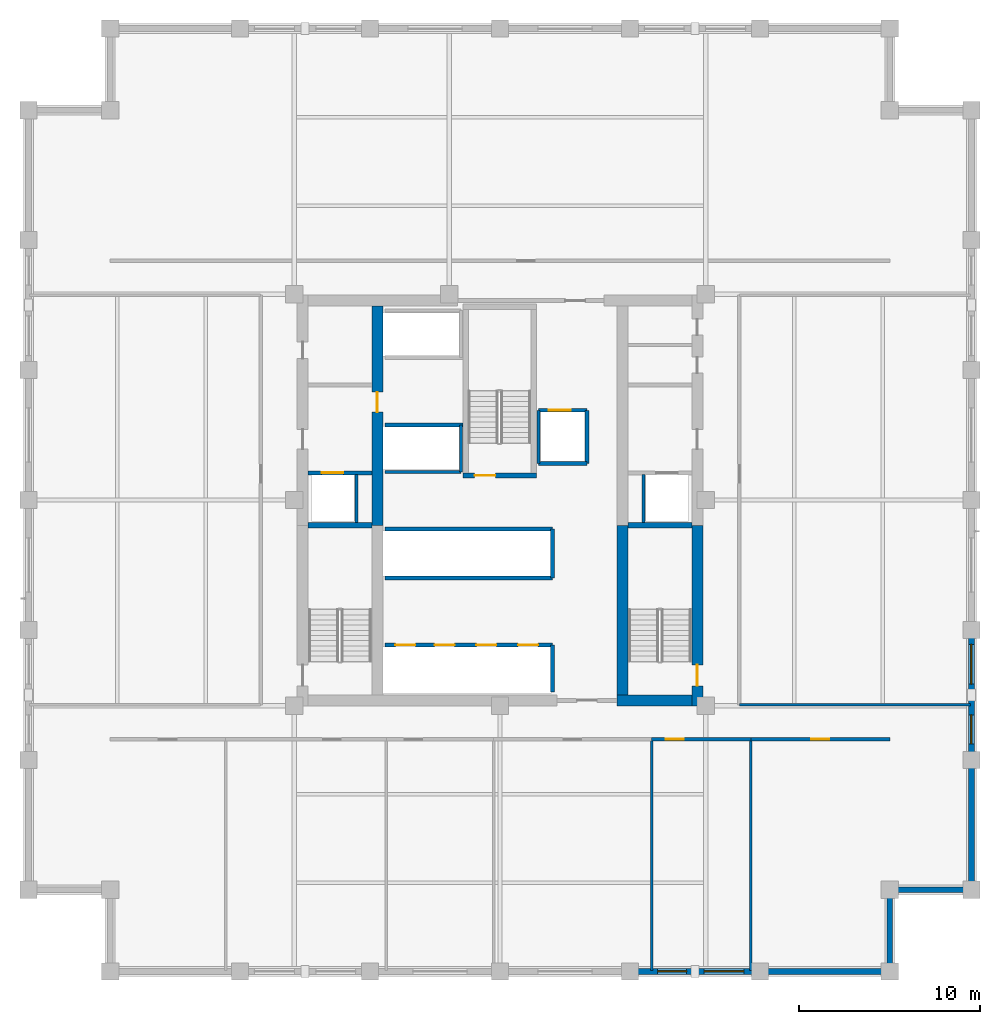
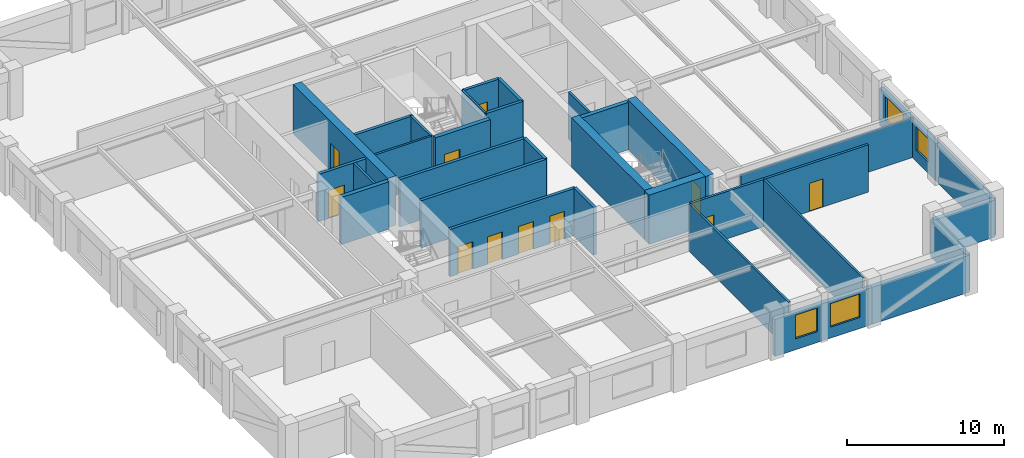
# One storey, part 6 of 9: 33 walls, 11 doors, 4 windows, 15 openings.
"""IFC4 building model written with IfcOpenShell, lengths in metres."""

from ifc_helpers import new_model, si_unit, direction, frame, frame_2d, origin, place, context, subcontext, project, spatial, rectangle, extrude, material, layer, layer_set, type_object, element, fill, save


model = new_model("IFC4")

# Units and contexts
model_context = context("Model", 3, precision=1e-05, world=origin(), true_north=direction((0.0, 1.0)))
body_context = subcontext(model_context, "Body", "Model", "MODEL_VIEW")
ifc_project = project(units=[si_unit("LENGTHUNIT", "METRE"), si_unit("AREAUNIT", "SQUARE_METRE"), si_unit("VOLUMEUNIT", "CUBIC_METRE"), si_unit("PLANEANGLEUNIT", "RADIAN"), si_unit("MASSUNIT", "GRAM", prefix="KILO")], contexts=[model_context])

# Site, building, storey
site_placement = place(None, origin())
site = spatial("IfcSite", under=ifc_project, at=site_placement, CompositionType="ELEMENT")
building_placement = place(site_placement, origin())
building = spatial("IfcBuilding", under=site, at=building_placement, Name="Nhamokura Convention Tower", CompositionType="ELEMENT")
storey_placement = place(building_placement, frame((0.0, 0.0, 156.800048828125)))
storey = spatial("IfcBuildingStorey", under=building, at=storey_placement, Name="L38", CompositionType="ELEMENT", Elevation=156.800048828125)

# Wall, openings, windows
ifc_material_1 = material(Name="Bronze-pigmented precast concrete C45/55", Category="concrete")
ifc_layer_1 = layer(ifc_material_1, 0.320068359375)
ifc_layer_set_1 = layer_set([ifc_layer_1], Name="BronzePrecastSpandrel_320")
wall_type_1 = type_object("IfcWallType", Name="BronzePrecastSpandrel_320", PredefinedType="USERDEFINED", material=ifc_layer_set_1)
wall_1_placement = place(storey_placement, frame((46.333251953125, 6.0, 0.0), z_axis=(0.0, 0.0, 1.0), x_axis=(-1.0, 0.0, 0.0)))
wall_1 = element("IfcWall", 1, at=wall_1_placement, inside=storey, type_object=wall_type_1, Name="L38 Masonry-Frame Wall SOUTH 4", ObjectType="SPANDREL_WALL", PredefinedType="USERDEFINED", context=body_context, shape_type="SweptSolid", body=[
    extrude(rectangle(XDim=7.16650390625, YDim=0.320068359375, at=frame_2d((3.583251953125, 0.0))), origin(), (0.0, 0.0, 1.0), 2.885009765625),
])
opening_1_placement = place(wall_1_placement, frame((0.879150390625, 0.0, 0.85009765625)))
opening_1 = element("IfcOpeningElement", 2, at=opening_1_placement, cuts=wall_1, Name="Opening W-06", PredefinedType="OPENING", context=body_context, shape_type="SweptSolid", body=[
    extrude(rectangle(XDim=2.199951171875, YDim=1.8349609375, at=frame_2d((1.10009765625, 0.91748046875))), frame((0.0, 0.169921875, 0.0), z_axis=(0.0, -1.0, 0.0), x_axis=(1.0, 0.0, 0.0)), (0.0, 0.0, 1.0), 0.340087890625),
])
opening_2_placement = place(wall_1_placement, frame((4.03759765625, 0.0, 0.85009765625)))
opening_2 = element("IfcOpeningElement", 3, at=opening_2_placement, cuts=wall_1, Name="Opening W-11", PredefinedType="OPENING", context=body_context, shape_type="SweptSolid", body=[
    extrude(rectangle(XDim=1.60009765625, YDim=1.8349609375, at=frame_2d((0.800048828125, 0.91748046875))), frame((0.0, 0.169921875, 0.0), z_axis=(0.0, -1.0, 0.0), x_axis=(1.0, 0.0, 0.0)), (0.0, 0.0, 1.0), 0.340087890625),
])
ifc_material_2 = material(Name="Solar-control bronze low-E double glass", Category="glass")
window_type_1 = type_object("IfcWindowType", Name="NotchCornerWindow_1600", PartitioningType="SINGLE_PANEL", PredefinedType="WINDOW", material=ifc_material_2)
window_1_placement = place(opening_2_placement, origin())
window_1 = element("IfcWindow", 4, at=window_1_placement, inside=storey, type_object=window_type_1, Name="L38 Facade Window SOUTH 4-2", OverallHeight=1.8349609375, OverallWidth=1.60009765625, PartitioningType="SINGLE_PANEL", PredefinedType="WINDOW", context=body_context, shape_type="SweptSolid", body=[
    extrude(rectangle(XDim=1.60009765625, YDim=1.8349609375, at=frame_2d((0.800048828125, 0.91748046875))), frame((0.0, 0.030029296875, 0.0), z_axis=(0.0, -1.0, 0.0), x_axis=(1.0, 0.0, 0.0)), (0.0, 0.0, 1.0), 0.06005859375),
])
fill(opening_2, window_1)
ifc_material_3 = material(Name="Solar-control bronze low-E double glass", Category="glass")
window_type_2 = type_object("IfcWindowType", Name="OfficeModuleWindow_Z2_2200", PartitioningType="SINGLE_PANEL", PredefinedType="WINDOW", material=ifc_material_3)
window_2_placement = place(opening_1_placement, origin())
window_2 = element("IfcWindow", 5, at=window_2_placement, inside=storey, type_object=window_type_2, Name="L38 Facade Window SOUTH 4-1", OverallHeight=1.8349609375, OverallWidth=2.199951171875, PartitioningType="SINGLE_PANEL", PredefinedType="WINDOW", context=body_context, shape_type="SweptSolid", body=[
    extrude(rectangle(XDim=2.199951171875, YDim=1.8349609375, at=frame_2d((1.10009765625, 0.91748046875))), frame((0.0, 0.030029296875, 0.0), z_axis=(0.0, -1.0, 0.0), x_axis=(1.0, 0.0, 0.0)), (0.0, 0.0, 1.0), 0.06005859375),
])
fill(opening_1, window_2)

# Walls
for number, where, z_axis, x_axis, name in (
    (6, (53.5, 6.0, 0.0), (0.0, 0.0, 1.0), (-1.0, 0.0, 0.0), "L38 Braced-Bay Precast Wall SOUTH 5"),
    (7, (58.0, 17.666748046875, 0.0), (0.0, 0.0, 1.0), (0.0, -1.0, 0.0), "L38 Braced-Bay Precast Wall EAST 0"),
):
    element("IfcWall", number, at=place(storey_placement, frame(where, z_axis=z_axis, x_axis=x_axis)), inside=storey, type_object=wall_type_1, Name=name, ObjectType="SPANDREL_WALL", PredefinedType="USERDEFINED", context=body_context, shape_type="SweptSolid", body=[
        extrude(rectangle(XDim=7.166748046875, YDim=0.320068359375, at=frame_2d((3.58349609375, 0.0))), origin(), (0.0, 0.0, 1.0), 2.885009765625),
    ])

# Wall, openings, windows
wall_2_placement = place(storey_placement, frame((58.0, 24.833251953125, 0.0), z_axis=(0.0, 0.0, 1.0), x_axis=(0.0, -1.0, 0.0)))
wall_2 = element("IfcWall", 8, at=wall_2_placement, inside=storey, type_object=wall_type_1, Name="L38 Masonry-Frame Wall EAST 1", ObjectType="SPANDREL_WALL", PredefinedType="USERDEFINED", context=body_context, shape_type="SweptSolid", body=[
    extrude(rectangle(XDim=7.16650390625, YDim=0.320068359375, at=frame_2d((3.583251953125, 0.0))), origin(), (0.0, 0.0, 1.0), 2.885009765625),
])
opening_3_placement = place(wall_2_placement, frame((0.791748046875, 0.0, 0.85009765625)))
opening_3 = element("IfcOpeningElement", 9, at=opening_3_placement, cuts=wall_2, Name="Opening W-06", PredefinedType="OPENING", context=body_context, shape_type="SweptSolid", body=[
    extrude(rectangle(XDim=2.199951171875, YDim=1.8349609375, at=frame_2d((1.10009765625, 0.91748046875))), frame((0.0, 0.169921875, 0.0), z_axis=(0.0, -1.0, 0.0), x_axis=(1.0, 0.0, 0.0)), (0.0, 0.0, 1.0), 0.340087890625),
])
opening_4_placement = place(wall_2_placement, frame((4.6875, 0.0, 0.85009765625)))
opening_4 = element("IfcOpeningElement", 10, at=opening_4_placement, cuts=wall_2, Name="Opening W-11", PredefinedType="OPENING", context=body_context, shape_type="SweptSolid", body=[
    extrude(rectangle(XDim=1.60009765625, YDim=1.8349609375, at=frame_2d((0.800048828125, 0.91748046875))), frame((0.0, 0.169921875, 0.0), z_axis=(0.0, -1.0, 0.0), x_axis=(1.0, 0.0, 0.0)), (0.0, 0.0, 1.0), 0.340087890625),
])
window_3_placement = place(opening_4_placement, origin())
window_3 = element("IfcWindow", 11, at=window_3_placement, inside=storey, type_object=window_type_1, Name="L38 Facade Window EAST 1-2", OverallHeight=1.8349609375, OverallWidth=1.60009765625, PartitioningType="SINGLE_PANEL", PredefinedType="WINDOW", context=body_context, shape_type="SweptSolid", body=[
    extrude(rectangle(XDim=1.60009765625, YDim=1.8349609375, at=frame_2d((0.800048828125, 0.91748046875))), frame((0.0, 0.030029296875, 0.0), z_axis=(0.0, -1.0, 0.0), x_axis=(1.0, 0.0, 0.0)), (0.0, 0.0, 1.0), 0.06005859375),
])
fill(opening_4, window_3)
window_4_placement = place(opening_3_placement, origin())
window_4 = element("IfcWindow", 12, at=window_4_placement, inside=storey, type_object=window_type_2, Name="L38 Facade Window EAST 1-1", OverallHeight=1.8349609375, OverallWidth=2.199951171875, PartitioningType="SINGLE_PANEL", PredefinedType="WINDOW", context=body_context, shape_type="SweptSolid", body=[
    extrude(rectangle(XDim=2.199951171875, YDim=1.8349609375, at=frame_2d((1.10009765625, 0.91748046875))), frame((0.0, 0.030029296875, 0.0), z_axis=(0.0, -1.0, 0.0), x_axis=(1.0, 0.0, 0.0)), (0.0, 0.0, 1.0), 0.06005859375),
])
fill(opening_3, window_4)

# Walls
for number, where, z_axis, x_axis, name in (
    (13, (53.5, 10.5, 0.0), (0.0, 0.0, 1.0), (0.0, -1.0, 0.0), "L38 Notched Corner Wall SE1"),
    (14, (58.0, 10.5, 0.0), (0.0, 0.0, 1.0), (-1.0, 0.0, 0.0), "L38 Notched Corner Wall SE2"),
):
    element("IfcWall", number, at=place(storey_placement, frame(where, z_axis=z_axis, x_axis=x_axis)), inside=storey, type_object=wall_type_1, Name=name, ObjectType="SPANDREL_WALL", PredefinedType="USERDEFINED", context=body_context, shape_type="SweptSolid", body=[
        extrude(rectangle(XDim=4.5, YDim=0.320068359375, at=frame_2d((2.25, 0.0))), origin(), (0.0, 0.0, 1.0), 2.885009765625),
    ])

# Wall, opening, door
ifc_material_4 = material(Name="Concrete C60/75", Category="concrete")
ifc_layer_2 = layer(ifc_material_4, 0.60009765625)
ifc_layer_set_2 = layer_set([ifc_layer_2], Name="CoreShearWall_600")
wall_type_2 = type_object("IfcWallType", Name="CoreShearWall_600", PredefinedType="SHEAR", material=ifc_layer_set_2)
wall_3_placement = place(storey_placement, frame((42.889892578125, 20.64990234375, 0.0), z_axis=(0.0, 0.0, 1.0), x_axis=(0.0, 1.0, 0.0)))
wall_3 = element("IfcWall", 15, at=wall_3_placement, inside=storey, type_object=wall_type_2, Name="L38 Core Shear Wall CW-ES", PredefinedType="SHEAR", context=body_context, shape_type="SweptSolid", body=[
    extrude(rectangle(XDim=9.9501953125, YDim=0.60009765625, at=frame_2d((4.97509765625, 0.0))), origin(), (0.0, 0.0, 1.0), 3.849853515625),
])
opening_5_placement = place(wall_3_placement, frame((1.10009765625, 0.0, 0.0)))
opening_5 = element("IfcOpeningElement", 16, at=opening_5_placement, cuts=wall_3, Name="Opening D-04", PredefinedType="OPENING", context=body_context, shape_type="SweptSolid", body=[
    extrude(rectangle(XDim=1.14990234375, YDim=2.14990234375, at=frame_2d((0.574951171875, 1.074951171875))), frame((0.0, 0.31005859375, 0.0), z_axis=(0.0, -1.0, 0.0), x_axis=(1.0, 0.0, 0.0)), (0.0, 0.0, 1.0), 0.6201171875),
])
ifc_material_5 = material(Name="Fire-rated steel door", Category="steel")
door_type_1 = type_object("IfcDoorType", Name="StairSmokeDoor_1150", OperationType="NOTDEFINED", PredefinedType="DOOR", material=ifc_material_5)
door_1_placement = place(opening_5_placement, origin())
door_1 = element("IfcDoor", 17, at=door_1_placement, inside=storey, type_object=door_type_1, Name="L38 Core Door INT-L38-D-ST02", OperationType="SINGLE_SWING_RIGHT", OverallHeight=2.14990234375, OverallWidth=1.14990234375, PredefinedType="DOOR", context=body_context, shape_type="SweptSolid", body=[
    extrude(rectangle(XDim=1.14990234375, YDim=2.14990234375, at=frame_2d((0.574951171875, 1.074951171875))), frame((0.0, 0.02490234375, 0.0), z_axis=(0.0, -1.0, 0.0), x_axis=(1.0, 0.0, 0.0)), (0.0, 0.0, 1.0), 0.050048828125),
])
fill(opening_5, door_1)

# Wall
wall_4_placement = place(storey_placement, frame((38.449951171875, 20.949951171875, 0.0), z_axis=(0.0, 0.0, 1.0), x_axis=(1.0, 0.0, 0.0)))
element("IfcWall", 18, at=wall_4_placement, inside=storey, type_object=wall_type_2, Name="L38 Core Shear Wall CW-S2", PredefinedType="SHEAR", context=body_context, shape_type="SweptSolid", body=[
    extrude(rectangle(XDim=4.14013671875, YDim=0.60009765625, at=frame_2d((2.070068359375, 0.0))), origin(), (0.0, 0.0, 1.0), 3.849853515625),
])

# Wall, opening, door
wall_5_placement = place(storey_placement, frame((25.239990234375, 30.60009765625, 0.0), z_axis=(0.0, 0.0, 1.0), x_axis=(0.0, 1.0, 0.0)))
wall_5 = element("IfcWall", 19, at=wall_5_placement, inside=storey, type_object=wall_type_2, Name="L38 Core Shear Wall CW-IWN", PredefinedType="SHEAR", context=body_context, shape_type="SweptSolid", body=[
    extrude(rectangle(XDim=12.099853515625, YDim=0.60009765625, at=frame_2d((6.0498046875, 0.0))), origin(), (0.0, 0.0, 1.0), 3.849853515625),
])
opening_6_placement = place(wall_5_placement, frame((6.25, 0.0, 0.0)))
opening_6 = element("IfcOpeningElement", 20, at=opening_6_placement, cuts=wall_5, Name="Opening D-05", PredefinedType="OPENING", context=body_context, shape_type="SweptSolid", body=[
    extrude(rectangle(XDim=1.10009765625, YDim=2.14990234375, at=frame_2d((0.550048828125, 1.074951171875))), frame((0.0, 0.31005859375, 0.0), z_axis=(0.0, -1.0, 0.0), x_axis=(1.0, 0.0, 0.0)), (0.0, 0.0, 1.0), 0.6201171875),
])
ifc_material_6 = material(Name="Fire-rated steel door", Category="steel")
door_type_2 = type_object("IfcDoorType", Name="FireLobbyDoor_1100", OperationType="NOTDEFINED", PredefinedType="DOOR", material=ifc_material_6)
door_2_placement = place(opening_6_placement, origin())
door_2 = element("IfcDoor", 21, at=door_2_placement, inside=storey, type_object=door_type_2, Name="L38 Core Door INT-L38-D-B3LOB", OperationType="SINGLE_SWING_LEFT", OverallHeight=2.14990234375, OverallWidth=1.10009765625, PredefinedType="DOOR", context=body_context, shape_type="SweptSolid", body=[
    extrude(rectangle(XDim=1.10009765625, YDim=2.14990234375, at=frame_2d((0.550048828125, 1.074951171875))), frame((0.0, 0.02490234375, 0.0), z_axis=(0.0, -1.0, 0.0), x_axis=(1.0, 0.0, 0.0)), (0.0, 0.0, 1.0), 0.050048828125),
])
fill(opening_6, door_2)

# Wall
wall_6_placement = place(storey_placement, frame((38.760009765625, 21.25, 0.0), z_axis=(0.0, 0.0, 1.0), x_axis=(0.0, 1.0, 0.0)))
element("IfcWall", 22, at=wall_6_placement, inside=storey, type_object=wall_type_2, Name="L38 Core Shear Wall CW-IES", PredefinedType="SHEAR", context=body_context, shape_type="SweptSolid", body=[
    extrude(rectangle(XDim=9.35009765625, YDim=0.60009765625, at=frame_2d((4.675048828125, 0.0))), origin(), (0.0, 0.0, 1.0), 3.849853515625),
])

# Wall, opening, door
ifc_material_7 = material(Name="Fire-rated gypsum and masonry partition", Category="masonry")
ifc_layer_3 = layer(ifc_material_7, 0.179931640625)
ifc_layer_set_3 = layer_set([ifc_layer_3], Name="CorridorRatedWall_180")
wall_type_3 = type_object("IfcWallType", Name="CorridorRatedWall_180", PredefinedType="STANDARD", material=ifc_layer_set_3)
wall_7_placement = place(storey_placement, frame((40.36669921875, 18.800048828125, 0.0), z_axis=(0.0, 0.0, 1.0), x_axis=(1.0, 0.0, 0.0)))
wall_7 = element("IfcWall", 23, at=wall_7_placement, inside=storey, type_object=wall_type_3, Name="L38 Wall INT-L38-CW-S04", PredefinedType="STANDARD", context=body_context, shape_type="SweptSolid", body=[
    extrude(rectangle(XDim=5.466552734375, YDim=0.179931640625, at=frame_2d((2.7333984375, 0.0))), origin(), (0.0, 0.0, 1.0), 3.68505859375),
])
opening_7_placement = place(wall_7_placement, frame((0.783203125, 0.0, 0.0)))
opening_7 = element("IfcOpeningElement", 24, at=opening_7_placement, cuts=wall_7, Name="Opening D-08", PredefinedType="OPENING", context=body_context, shape_type="SweptSolid", body=[
    extrude(rectangle(XDim=0.97998046875, YDim=2.199951171875, at=frame_2d((0.489990234375, 1.10009765625))), frame((0.0, 0.099853515625, 0.0), z_axis=(0.0, -1.0, 0.0), x_axis=(1.0, 0.0, 0.0)), (0.0, 0.0, 1.0), 0.199951171875),
])
ifc_material_8 = material(Name="Solid oak hardwood", Category="wood")
door_type_3 = type_object("IfcDoorType", Name="OfficeEntryDoor_980", OperationType="NOTDEFINED", PredefinedType="DOOR", material=ifc_material_8)
door_3_placement = place(opening_7_placement, origin())
door_3 = element("IfcDoor", 25, at=door_3_placement, inside=storey, type_object=door_type_3, Name="L38 Newsroom Office S05 Door", OperationType="SINGLE_SWING_LEFT", OverallHeight=2.199951171875, OverallWidth=0.97998046875, PredefinedType="DOOR", context=body_context, shape_type="SweptSolid", body=[
    extrude(rectangle(XDim=0.97998046875, YDim=2.199951171875, at=frame_2d((0.489990234375, 1.10009765625))), frame((0.0, 0.02490234375, 0.0), z_axis=(0.0, -1.0, 0.0), x_axis=(1.0, 0.0, 0.0)), (0.0, 0.0, 1.0), 0.050048828125),
])
fill(opening_7, door_3)

wall_8_placement = place(storey_placement, frame((45.833251953125, 18.800048828125, 0.0), z_axis=(0.0, 0.0, 1.0), x_axis=(1.0, 0.0, 0.0)))
wall_8 = element("IfcWall", 26, at=wall_8_placement, inside=storey, type_object=wall_type_3, Name="L38 Wall INT-L38-CW-S05", PredefinedType="STANDARD", context=body_context, shape_type="SweptSolid", body=[
    extrude(rectangle(XDim=7.666748046875, YDim=0.179931640625, at=frame_2d((3.83349609375, 0.0))), origin(), (0.0, 0.0, 1.0), 3.68505859375),
])
opening_8_placement = place(wall_8_placement, frame((3.33349609375, 0.0, 0.0)))
opening_8 = element("IfcOpeningElement", 27, at=opening_8_placement, cuts=wall_8, Name="Opening D-08", PredefinedType="OPENING", context=body_context, shape_type="SweptSolid", body=[
    extrude(rectangle(XDim=0.97998046875, YDim=2.199951171875, at=frame_2d((0.489990234375, 1.10009765625))), frame((0.0, 0.099853515625, 0.0), z_axis=(0.0, -1.0, 0.0), x_axis=(1.0, 0.0, 0.0)), (0.0, 0.0, 1.0), 0.199951171875),
])
door_4_placement = place(opening_8_placement, origin())
door_4 = element("IfcDoor", 28, at=door_4_placement, inside=storey, type_object=door_type_3, Name="L38 Green Room Lounge S06 Door", OperationType="SINGLE_SWING_RIGHT", OverallHeight=2.199951171875, OverallWidth=0.97998046875, PredefinedType="DOOR", context=body_context, shape_type="SweptSolid", body=[
    extrude(rectangle(XDim=0.97998046875, YDim=2.199951171875, at=frame_2d((0.489990234375, 1.10009765625))), frame((0.0, 0.02490234375, 0.0), z_axis=(0.0, -1.0, 0.0), x_axis=(1.0, 0.0, 0.0)), (0.0, 0.0, 1.0), 0.050048828125),
])
fill(opening_8, door_4)

ifc_material_9 = material(Name="Autoclaved concrete blockwork", Category="masonry")
ifc_layer_4 = layer(ifc_material_9, 0.219970703125)
ifc_layer_set_4 = layer_set([ifc_layer_4], Name="FireLobbyWall_220")
wall_type_4 = type_object("IfcWallType", Name="FireLobbyWall_220", PredefinedType="STANDARD", material=ifc_layer_set_4)
wall_9_placement = place(storey_placement, frame((21.409912109375, 33.5, 0.0), z_axis=(0.0, 0.0, 1.0), x_axis=(1.0, 0.0, 0.0)))
wall_9 = element("IfcWall", 29, at=wall_9_placement, inside=storey, type_object=wall_type_4, Name="L38 Wall INT-L38-FFW-S", PredefinedType="STANDARD", context=body_context, shape_type="SweptSolid", body=[
    extrude(rectangle(XDim=3.530029296875, YDim=0.219970703125, at=frame_2d((1.76513671875, 0.0))), origin(), (0.0, 0.0, 1.0), 3.68505859375),
])
opening_9_placement = place(wall_9_placement, frame((0.75, 0.0, 0.0)))
opening_9 = element("IfcOpeningElement", 30, at=opening_9_placement, cuts=wall_9, Name="Opening LD-02", PredefinedType="OPENING", context=body_context, shape_type="SweptSolid", body=[
    extrude(rectangle(XDim=1.199951171875, YDim=2.199951171875, at=frame_2d((0.60009765625, 1.10009765625))), frame((0.0, 0.119873046875, 0.0), z_axis=(0.0, -1.0, 0.0), x_axis=(1.0, 0.0, 0.0)), (0.0, 0.0, 1.0), 0.239990234375),
])
ifc_material_10 = material(Name="Anodised bronze stainless steel", Category="steel")
door_type_4 = type_object("IfcDoorType", Name="LiftLandingDoor_FireService", OperationType="DOUBLE_DOOR_SLIDING", PredefinedType="DOOR", material=ifc_material_10)
door_5_placement = place(opening_9_placement, origin())
door_5 = element("IfcDoor", 31, at=door_5_placement, inside=storey, type_object=door_type_4, Name="L38 Firefighting Lift LF-01 Door", OperationType="DOUBLE_DOOR_SLIDING", OverallHeight=2.199951171875, OverallWidth=1.199951171875, PredefinedType="DOOR", context=body_context, shape_type="SweptSolid", body=[
    extrude(rectangle(XDim=1.199951171875, YDim=2.199951171875, at=frame_2d((0.60009765625, 1.10009765625))), frame((0.0, 0.02490234375, 0.0), z_axis=(0.0, -1.0, 0.0), x_axis=(1.0, 0.0, 0.0)), (0.0, 0.0, 1.0), 0.050048828125),
])
fill(opening_9, door_5)

# Wall, openings, doors
wall_10_placement = place(storey_placement, frame((25.64990234375, 24.0, 0.0), z_axis=(0.0, 0.0, 1.0), x_axis=(1.0, 0.0, 0.0)))
wall_10 = element("IfcWall", 32, at=wall_10_placement, inside=storey, type_object=wall_type_4, Name="L38 Wall INT-L38-B1N", PredefinedType="STANDARD", context=body_context, shape_type="SweptSolid", body=[
    extrude(rectangle(XDim=9.25, YDim=0.219970703125, at=frame_2d((4.625, 0.0))), origin(), (0.0, 0.0, 1.0), 3.68505859375),
])
opening_10_placement = place(wall_10_placement, frame((0.580078125, 0.0, 0.0)))
opening_10 = element("IfcOpeningElement", 33, at=opening_10_placement, cuts=wall_10, Name="Opening LD-01", PredefinedType="OPENING", context=body_context, shape_type="SweptSolid", body=[
    extrude(rectangle(XDim=1.10009765625, YDim=2.14990234375, at=frame_2d((0.550048828125, 1.074951171875))), frame((0.0, 0.119873046875, 0.0), z_axis=(0.0, -1.0, 0.0), x_axis=(1.0, 0.0, 0.0)), (0.0, 0.0, 1.0), 0.239990234375),
])
opening_11_placement = place(wall_10_placement, frame((2.75, 0.0, 0.0)))
opening_11 = element("IfcOpeningElement", 34, at=opening_11_placement, cuts=wall_10, Name="Opening LD-01", PredefinedType="OPENING", context=body_context, shape_type="SweptSolid", body=[
    extrude(rectangle(XDim=1.10009765625, YDim=2.14990234375, at=frame_2d((0.550048828125, 1.074951171875))), frame((0.0, 0.119873046875, 0.0), z_axis=(0.0, -1.0, 0.0), x_axis=(1.0, 0.0, 0.0)), (0.0, 0.0, 1.0), 0.239990234375),
])
opening_12_placement = place(wall_10_placement, frame((5.050048828125, 0.0, 0.0)))
opening_12 = element("IfcOpeningElement", 35, at=opening_12_placement, cuts=wall_10, Name="Opening LD-01", PredefinedType="OPENING", context=body_context, shape_type="SweptSolid", body=[
    extrude(rectangle(XDim=1.10009765625, YDim=2.14990234375, at=frame_2d((0.550048828125, 1.074951171875))), frame((0.0, 0.119873046875, 0.0), z_axis=(0.0, -1.0, 0.0), x_axis=(1.0, 0.0, 0.0)), (0.0, 0.0, 1.0), 0.239990234375),
])
opening_13_placement = place(wall_10_placement, frame((7.35009765625, 0.0, 0.0)))
opening_13 = element("IfcOpeningElement", 36, at=opening_13_placement, cuts=wall_10, Name="Opening LD-01", PredefinedType="OPENING", context=body_context, shape_type="SweptSolid", body=[
    extrude(rectangle(XDim=1.10009765625, YDim=2.14990234375, at=frame_2d((0.550048828125, 1.074951171875))), frame((0.0, 0.119873046875, 0.0), z_axis=(0.0, -1.0, 0.0), x_axis=(1.0, 0.0, 0.0)), (0.0, 0.0, 1.0), 0.239990234375),
])
ifc_material_11 = material(Name="Anodised bronze stainless steel", Category="steel")
door_type_5 = type_object("IfcDoorType", Name="LiftLandingDoor_Passenger", OperationType="DOUBLE_DOOR_SLIDING", PredefinedType="DOOR", material=ifc_material_11)
door_6_placement = place(opening_10_placement, origin())
door_6 = element("IfcDoor", 37, at=door_6_placement, inside=storey, type_object=door_type_5, Name="L38 Lift LP-01 Landing Door", OperationType="DOUBLE_DOOR_SLIDING", OverallHeight=2.14990234375, OverallWidth=1.10009765625, PredefinedType="DOOR", context=body_context, shape_type="SweptSolid", body=[
    extrude(rectangle(XDim=1.10009765625, YDim=2.14990234375, at=frame_2d((0.550048828125, 1.074951171875))), frame((0.0, 0.02490234375, 0.0), z_axis=(0.0, -1.0, 0.0), x_axis=(1.0, 0.0, 0.0)), (0.0, 0.0, 1.0), 0.050048828125),
])
fill(opening_10, door_6)
door_7_placement = place(opening_11_placement, origin())
door_7 = element("IfcDoor", 38, at=door_7_placement, inside=storey, type_object=door_type_5, Name="L38 Lift LP-02 Landing Door", OperationType="DOUBLE_DOOR_SLIDING", OverallHeight=2.14990234375, OverallWidth=1.10009765625, PredefinedType="DOOR", context=body_context, shape_type="SweptSolid", body=[
    extrude(rectangle(XDim=1.10009765625, YDim=2.14990234375, at=frame_2d((0.550048828125, 1.074951171875))), frame((0.0, 0.02490234375, 0.0), z_axis=(0.0, -1.0, 0.0), x_axis=(1.0, 0.0, 0.0)), (0.0, 0.0, 1.0), 0.050048828125),
])
fill(opening_11, door_7)
door_8_placement = place(opening_12_placement, origin())
door_8 = element("IfcDoor", 39, at=door_8_placement, inside=storey, type_object=door_type_5, Name="L38 Lift LP-03 Landing Door", OperationType="DOUBLE_DOOR_SLIDING", OverallHeight=2.14990234375, OverallWidth=1.10009765625, PredefinedType="DOOR", context=body_context, shape_type="SweptSolid", body=[
    extrude(rectangle(XDim=1.10009765625, YDim=2.14990234375, at=frame_2d((0.550048828125, 1.074951171875))), frame((0.0, 0.02490234375, 0.0), z_axis=(0.0, -1.0, 0.0), x_axis=(1.0, 0.0, 0.0)), (0.0, 0.0, 1.0), 0.050048828125),
])
fill(opening_12, door_8)
door_9_placement = place(opening_13_placement, origin())
door_9 = element("IfcDoor", 40, at=door_9_placement, inside=storey, type_object=door_type_5, Name="L38 Lift LP-04 Landing Door", OperationType="DOUBLE_DOOR_SLIDING", OverallHeight=2.14990234375, OverallWidth=1.10009765625, PredefinedType="DOOR", context=body_context, shape_type="SweptSolid", body=[
    extrude(rectangle(XDim=1.10009765625, YDim=2.14990234375, at=frame_2d((0.550048828125, 1.074951171875))), frame((0.0, 0.02490234375, 0.0), z_axis=(0.0, -1.0, 0.0), x_axis=(1.0, 0.0, 0.0)), (0.0, 0.0, 1.0), 0.050048828125),
])
fill(opening_13, door_9)

# Walls
wall_11_placement = place(storey_placement, frame((34.89990234375, 21.39990234375, 0.0), z_axis=(0.0, 0.0, 1.0), x_axis=(0.0, 1.0, 0.0)))
element("IfcWall", 41, at=wall_11_placement, inside=storey, type_object=wall_type_4, Name="L38 Wall INT-L38-B1E", PredefinedType="STANDARD", context=body_context, shape_type="SweptSolid", body=[
    extrude(rectangle(XDim=2.60009765625, YDim=0.219970703125, at=frame_2d((1.300048828125, 0.0))), origin(), (0.0, 0.0, 1.0), 3.68505859375),
])
for number, where, z_axis, x_axis, name in (
    (42, (25.64990234375, 27.699951171875, 0.0), (0.0, 0.0, 1.0), (1.0, 0.0, 0.0), "L38 Wall INT-L38-B2S"),
    (43, (25.64990234375, 30.39990234375, 0.0), (0.0, 0.0, 1.0), (1.0, 0.0, 0.0), "L38 Wall INT-L38-B2N"),
):
    element("IfcWall", number, at=place(storey_placement, frame(where, z_axis=z_axis, x_axis=x_axis)), inside=storey, type_object=wall_type_4, Name=name, PredefinedType="STANDARD", context=body_context, shape_type="SweptSolid", body=[
        extrude(rectangle(XDim=9.25, YDim=0.219970703125, at=frame_2d((4.625, 0.0))), origin(), (0.0, 0.0, 1.0), 3.68505859375),
    ])
wall_12_placement = place(storey_placement, frame((34.89990234375, 27.699951171875, 0.0), z_axis=(0.0, 0.0, 1.0), x_axis=(0.0, 1.0, 0.0)))
element("IfcWall", 44, at=wall_12_placement, inside=storey, type_object=wall_type_4, Name="L38 Wall INT-L38-B2E", PredefinedType="STANDARD", context=body_context, shape_type="SweptSolid", body=[
    extrude(rectangle(XDim=2.699951171875, YDim=0.219970703125, at=frame_2d((1.35009765625, 0.0))), origin(), (0.0, 0.0, 1.0), 3.68505859375),
])
wall_13_placement = place(storey_placement, frame((25.64990234375, 36.14990234375, 0.0), z_axis=(0.0, 0.0, 1.0), x_axis=(1.0, 0.0, 0.0)))
element("IfcWall", 45, at=wall_13_placement, inside=storey, type_object=wall_type_4, Name="L38 Wall INT-L38-B3S", PredefinedType="STANDARD", context=body_context, shape_type="SweptSolid", body=[
    extrude(rectangle(XDim=4.300048828125, YDim=0.219970703125, at=frame_2d((2.14990234375, 0.0))), origin(), (0.0, 0.0, 1.0), 3.68505859375),
])

# Wall, opening, door
wall_14_placement = place(storey_placement, frame((34.1201171875, 36.949951171875, 0.0), z_axis=(0.0, 0.0, 1.0), x_axis=(1.0, 0.0, 0.0)))
wall_14 = element("IfcWall", 46, at=wall_14_placement, inside=storey, type_object=wall_type_4, Name="L38 Wall INT-L38-LSN", PredefinedType="STANDARD", context=body_context, shape_type="SweptSolid", body=[
    extrude(rectangle(XDim=2.679931640625, YDim=0.219970703125, at=frame_2d((1.33984375, 0.0))), origin(), (0.0, 0.0, 1.0), 3.68505859375),
])
opening_14_placement = place(wall_14_placement, frame((0.580078125, 0.0, 0.0)))
opening_14 = element("IfcOpeningElement", 47, at=opening_14_placement, cuts=wall_14, Name="Opening LD-02", PredefinedType="OPENING", context=body_context, shape_type="SweptSolid", body=[
    extrude(rectangle(XDim=1.199951171875, YDim=2.199951171875, at=frame_2d((0.60009765625, 1.10009765625))), frame((0.0, 0.119873046875, 0.0), z_axis=(0.0, -1.0, 0.0), x_axis=(1.0, 0.0, 0.0)), (0.0, 0.0, 1.0), 0.239990234375),
])
door_10_placement = place(opening_14_placement, origin())
door_10 = element("IfcDoor", 48, at=door_10_placement, inside=storey, type_object=door_type_4, Name="L38 Service Lift LS-01 Door", OperationType="DOUBLE_DOOR_SLIDING", OverallHeight=2.199951171875, OverallWidth=1.199951171875, PredefinedType="DOOR", context=body_context, shape_type="SweptSolid", body=[
    extrude(rectangle(XDim=1.199951171875, YDim=2.199951171875, at=frame_2d((0.60009765625, 1.10009765625))), frame((0.0, 0.02490234375, 0.0), z_axis=(0.0, -1.0, 0.0), x_axis=(1.0, 0.0, 0.0)), (0.0, 0.0, 1.0), 0.050048828125),
])
fill(opening_14, door_10)

# Walls
wall_15_placement = place(storey_placement, frame((36.800048828125, 34.02001953125, 0.0), z_axis=(0.0, 0.0, 1.0), x_axis=(0.0, 1.0, 0.0)))
element("IfcWall", 49, at=wall_15_placement, inside=storey, type_object=wall_type_4, Name="L38 Wall INT-L38-LSE", PredefinedType="STANDARD", context=body_context, shape_type="SweptSolid", body=[
    extrude(rectangle(XDim=2.929931640625, YDim=0.219970703125, at=frame_2d((1.46484375, 0.0))), origin(), (0.0, 0.0, 1.0), 3.68505859375),
])
wall_16_placement = place(storey_placement, frame((34.1201171875, 34.02001953125, 0.0), z_axis=(0.0, 0.0, 1.0), x_axis=(1.0, 0.0, 0.0)))
element("IfcWall", 50, at=wall_16_placement, inside=storey, type_object=wall_type_4, Name="L38 Wall INT-L38-LSS", PredefinedType="STANDARD", context=body_context, shape_type="SweptSolid", body=[
    extrude(rectangle(XDim=2.679931640625, YDim=0.219970703125, at=frame_2d((1.33984375, 0.0))), origin(), (0.0, 0.0, 1.0), 3.68505859375),
])
ifc_material_12 = material(Name="Acoustic gypsum stud partition", Category="masonry")
ifc_layer_5 = layer(ifc_material_12, 0.14990234375)
ifc_layer_set_5 = layer_set([ifc_layer_5], Name="InteriorPartition_150")
wall_type_5 = type_object("IfcWallType", Name="InteriorPartition_150", PredefinedType="STANDARD", material=ifc_layer_set_5)
for number, where, z_axis, x_axis, name in (
    (51, (24.080078125, 30.75, 0.0), (0.0, 0.0, 1.0), (0.0, 1.0, 0.0), "L38 Wall INT-L38-FF1-E"),
    (52, (39.919921875, 30.75, 0.0), (0.0, 0.0, 1.0), (0.0, 1.0, 0.0), "L38 Wall INT-L38-FF2-W"),
):
    element("IfcWall", number, at=place(storey_placement, frame(where, z_axis=z_axis, x_axis=x_axis)), inside=storey, type_object=wall_type_5, Name=name, PredefinedType="STANDARD", context=body_context, shape_type="SweptSolid", body=[
        extrude(rectangle(XDim=2.64990234375, YDim=0.14990234375, at=frame_2d((1.324951171875, 0.0))), origin(), (0.0, 0.0, 1.0), 3.68505859375),
    ])
wall_17_placement = place(storey_placement, frame((25.64990234375, 33.550048828125, 0.0), z_axis=(0.0, 0.0, 1.0), x_axis=(1.0, 0.0, 0.0)))
element("IfcWall", 53, at=wall_17_placement, inside=storey, type_object=wall_type_5, Name="L38 Wall INT-L38-B3A-S", PredefinedType="STANDARD", context=body_context, shape_type="SweptSolid", body=[
    extrude(rectangle(XDim=4.2001953125, YDim=0.14990234375, at=frame_2d((2.10009765625, 0.0))), origin(), (0.0, 0.0, 1.0), 3.68505859375),
])
wall_18_placement = place(storey_placement, frame((29.85009765625, 33.550048828125, 0.0), z_axis=(0.0, 0.0, 1.0), x_axis=(0.0, 1.0, 0.0)))
element("IfcWall", 54, at=wall_18_placement, inside=storey, type_object=wall_type_5, Name="L38 Wall INT-L38-B3A-E", PredefinedType="STANDARD", context=body_context, shape_type="SweptSolid", body=[
    extrude(rectangle(XDim=2.599853515625, YDim=0.14990234375, at=frame_2d((1.2998046875, 0.0))), origin(), (0.0, 0.0, 1.0), 3.68505859375),
])
wall_19_placement = place(storey_placement, frame((34.1201171875, 34.02001953125, 0.0), z_axis=(0.0, 0.0, 1.0), x_axis=(0.0, 1.0, 0.0)))
element("IfcWall", 55, at=wall_19_placement, inside=storey, type_object=wall_type_5, Name="L38 Wall INT-L38-LSW", PredefinedType="STANDARD", context=body_context, shape_type="SweptSolid", body=[
    extrude(rectangle(XDim=2.929931640625, YDim=0.14990234375, at=frame_2d((1.46484375, 0.0))), origin(), (0.0, 0.0, 1.0), 3.68505859375),
])
for number, where, z_axis, x_axis, name in (
    (56, (40.36669921875, 6.06005859375, 0.0), (0.0, 0.0, 1.0), (0.0, 1.0, 0.0), "L38 Wall INT-L38-RW-S04"),
    (57, (45.833251953125, 6.06005859375, 0.0), (0.0, 0.0, 1.0), (0.0, 1.0, 0.0), "L38 Wall INT-L38-RW-S05"),
):
    element("IfcWall", number, at=place(storey_placement, frame(where, z_axis=z_axis, x_axis=x_axis)), inside=storey, type_object=wall_type_5, Name=name, PredefinedType="STANDARD", context=body_context, shape_type="SweptSolid", body=[
        extrude(rectangle(XDim=12.739990234375, YDim=0.14990234375, at=frame_2d((6.3701171875, 0.0))), origin(), (0.0, 0.0, 1.0), 3.68505859375),
    ])
wall_20_placement = place(storey_placement, frame((45.199951171875, 20.699951171875, 0.0), z_axis=(0.0, 0.0, 1.0), x_axis=(1.0, 0.0, 0.0)))
element("IfcWall", 58, at=wall_20_placement, inside=storey, type_object=wall_type_5, Name="L38 Wall INT-L38-RWB-E", PredefinedType="STANDARD", context=body_context, shape_type="SweptSolid", body=[
    extrude(rectangle(XDim=12.739990234375, YDim=0.14990234375, at=frame_2d((6.3701171875, 0.0))), origin(), (0.0, 0.0, 1.0), 3.06494140625),
])
ifc_material_13 = material(Name="Concrete C50/60", Category="concrete")
ifc_layer_6 = layer(ifc_material_13, 0.300048828125)
ifc_layer_set_6 = layer_set([ifc_layer_6], Name="ShaftEnclosureWall_300")
wall_type_6 = type_object("IfcWallType", Name="ShaftEnclosureWall_300", PredefinedType="SHEAR", material=ifc_layer_set_6)
for number, where, z_axis, x_axis, name in (
    (59, (21.409912109375, 30.60009765625, 0.0), (0.0, 0.0, 1.0), (1.0, 0.0, 0.0), "L38 Wall INT-L38-ST01-N"),
    (60, (39.06005859375, 30.60009765625, 0.0), (0.0, 0.0, 1.0), (1.0, 0.0, 0.0), "L38 Wall INT-L38-ST02-N"),
):
    element("IfcWall", number, at=place(storey_placement, frame(where, z_axis=z_axis, x_axis=x_axis)), inside=storey, type_object=wall_type_6, Name=name, PredefinedType="SHEAR", context=body_context, shape_type="SweptSolid", body=[
        extrude(rectangle(XDim=3.530029296875, YDim=0.300048828125, at=frame_2d((1.76513671875, 0.0))), origin(), (0.0, 0.0, 1.0), 3.68505859375),
    ])

# Wall, opening, door
wall_21_placement = place(storey_placement, frame((29.949951171875, 33.35009765625, 0.0), z_axis=(0.0, 0.0, 1.0), x_axis=(1.0, 0.0, 0.0)))
wall_21 = element("IfcWall", 61, at=wall_21_placement, inside=storey, type_object=wall_type_6, Name="L38 Wall INT-L38-ST03S", PredefinedType="SHEAR", context=body_context, shape_type="SweptSolid", body=[
    extrude(rectangle(XDim=4.050048828125, YDim=0.300048828125, at=frame_2d((2.02490234375, 0.0))), origin(), (0.0, 0.0, 1.0), 3.68505859375),
])
opening_15_placement = place(wall_21_placement, frame((0.64990234375, 0.0, 0.0)))
opening_15 = element("IfcOpeningElement", 62, at=opening_15_placement, cuts=wall_21, Name="Opening D-04", PredefinedType="OPENING", context=body_context, shape_type="SweptSolid", body=[
    extrude(rectangle(XDim=1.14990234375, YDim=2.14990234375, at=frame_2d((0.574951171875, 1.074951171875))), frame((0.0, 0.159912109375, 0.0), z_axis=(0.0, -1.0, 0.0), x_axis=(1.0, 0.0, 0.0)), (0.0, 0.0, 1.0), 0.320068359375),
])
door_11_placement = place(opening_15_placement, origin())
door_11 = element("IfcDoor", 63, at=door_11_placement, inside=storey, type_object=door_type_1, Name="L38 Stair ST-03 Smoke Door", OperationType="SINGLE_SWING_LEFT", OverallHeight=2.14990234375, OverallWidth=1.14990234375, PredefinedType="DOOR", context=body_context, shape_type="SweptSolid", body=[
    extrude(rectangle(XDim=1.14990234375, YDim=2.14990234375, at=frame_2d((0.574951171875, 1.074951171875))), frame((0.0, 0.02490234375, 0.0), z_axis=(0.0, -1.0, 0.0), x_axis=(1.0, 0.0, 0.0)), (0.0, 0.0, 1.0), 0.050048828125),
])
fill(opening_15, door_11)

save(model, "model.ifc")
